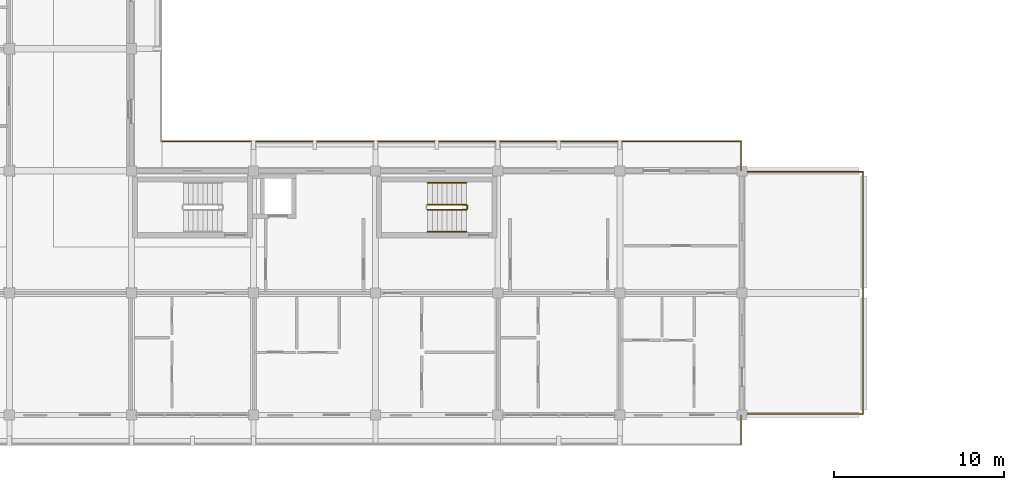
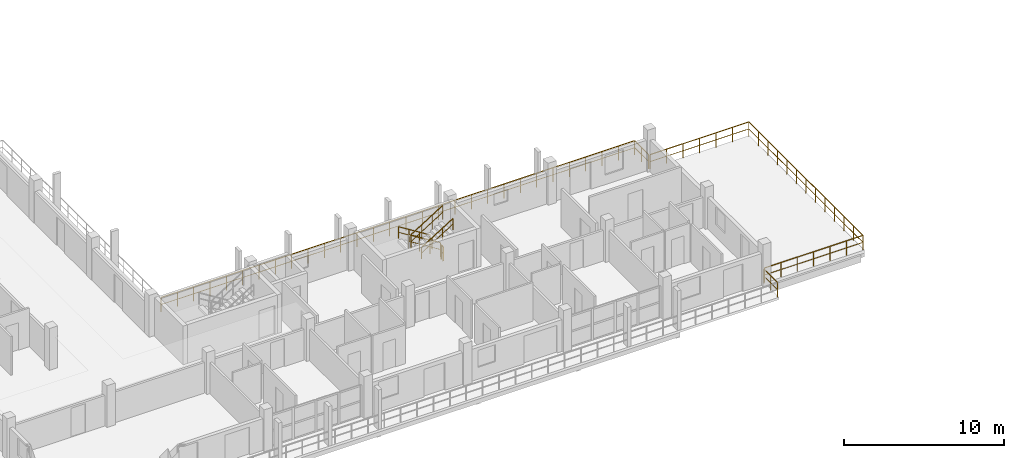
# One storey, part 65 of 78: 11 railings.
"""IFC4 building model written with IfcOpenShell, lengths in metres."""

from ifc_helpers import new_model, si_unit, direction, frame, origin, origin_2d, place, context, subcontext, project, spatial, rectangle, extrude, material, type_object, element, save


model = new_model("IFC4")

# Units and contexts
model_context = context("Model", 3, precision=1e-05, world=origin(), true_north=direction((0.0, 1.0)))
body_context = subcontext(model_context, "Body", "Model", "MODEL_VIEW")
ifc_project = project(units=[si_unit("LENGTHUNIT", "METRE"), si_unit("AREAUNIT", "SQUARE_METRE"), si_unit("VOLUMEUNIT", "CUBIC_METRE"), si_unit("PLANEANGLEUNIT", "RADIAN"), si_unit("MASSUNIT", "GRAM", prefix="KILO")], contexts=[model_context])

# Site, building, storey
site_placement = place(None, origin())
site = spatial("IfcSite", under=ifc_project, at=site_placement, CompositionType="ELEMENT")
building_placement = place(site_placement, origin())
building = spatial("IfcBuilding", under=site, at=building_placement, Name="Suanplinth Sawtooth Commons", CompositionType="ELEMENT")
storey_placement = place(building_placement, frame((0.0, 0.0, 15.39990234375)))
storey = spatial("IfcBuildingStorey", under=building, at=storey_placement, Name="L04", CompositionType="ELEMENT", Elevation=15.39990234375)

# Railings
ifc_material_1 = material(Name="Powder-coated galvanized steel", Category="steel")
railing_type_1 = type_object("IfcRailingType", Name="GR-01", PredefinedType="BALUSTRADE", material=ifc_material_1)
railing_1_placement = place(storey_placement, frame((16.139892578125, 16.139892578125, 0.0)))
element("IfcRailing", 1, at=railing_1_placement, inside=storey, type_object=railing_type_1, Name="L04 Block D Perimeter Balustrade 8", PredefinedType="BALUSTRADE", context=body_context, shape_type="SweptSolid", body=[
    extrude(rectangle(XDim=0.048095703125, YDim=0.048095703125, at=origin_2d()), frame((0.0, 0.0, 1.09619140625), z_axis=(1.0, 0.0, 0.0), x_axis=(0.0, 1.0, 0.0)), (0.0, 0.0, 1.0), 34.2001953125),
    extrude(rectangle(XDim=0.03369140625, YDim=0.03369140625, at=origin_2d()), frame((0.0, 0.0, 0.56005859375), z_axis=(1.0, 0.0, 0.0), x_axis=(0.0, 1.0, 0.0)), (0.0, 0.0, 1.0), 34.2001953125),
    extrude(rectangle(XDim=0.0419921875, YDim=0.0419921875, at=origin_2d()), origin(), (0.0, 0.0, 1.0), 1.072021484375),
    extrude(rectangle(XDim=0.0419921875, YDim=0.0419921875, at=origin_2d()), frame((1.17919921875, 0.0, 0.0)), (0.0, 0.0, 1.0), 1.072021484375),
    extrude(rectangle(XDim=0.0419921875, YDim=0.0419921875, at=origin_2d()), frame((2.358642578125, 0.0, 0.0)), (0.0, 0.0, 1.0), 1.072021484375),
    extrude(rectangle(XDim=0.0419921875, YDim=0.0419921875, at=origin_2d()), frame((3.537841796875, 0.0, 0.0)), (0.0, 0.0, 1.0), 1.072021484375),
    extrude(rectangle(XDim=0.0419921875, YDim=0.0419921875, at=origin_2d()), frame((4.71728515625, 0.0, 0.0)), (0.0, 0.0, 1.0), 1.072021484375),
    extrude(rectangle(XDim=0.0419921875, YDim=0.0419921875, at=origin_2d()), frame((5.896484375, 0.0, 0.0)), (0.0, 0.0, 1.0), 1.072021484375),
    extrude(rectangle(XDim=0.0419921875, YDim=0.0419921875, at=origin_2d()), frame((7.075927734375, 0.0, 0.0)), (0.0, 0.0, 1.0), 1.072021484375),
    extrude(rectangle(XDim=0.0419921875, YDim=0.0419921875, at=origin_2d()), frame((8.255126953125, 0.0, 0.0)), (0.0, 0.0, 1.0), 1.072021484375),
    extrude(rectangle(XDim=0.0419921875, YDim=0.0419921875, at=origin_2d()), frame((9.4345703125, 0.0, 0.0)), (0.0, 0.0, 1.0), 1.072021484375),
    extrude(rectangle(XDim=0.0419921875, YDim=0.0419921875, at=origin_2d()), frame((10.61376953125, 0.0, 0.0)), (0.0, 0.0, 1.0), 1.072021484375),
    extrude(rectangle(XDim=0.0419921875, YDim=0.0419921875, at=origin_2d()), frame((11.793212890625, 0.0, 0.0)), (0.0, 0.0, 1.0), 1.072021484375),
    extrude(rectangle(XDim=0.0419921875, YDim=0.0419921875, at=origin_2d()), frame((12.972412109375, 0.0, 0.0)), (0.0, 0.0, 1.0), 1.072021484375),
    extrude(rectangle(XDim=0.0419921875, YDim=0.0419921875, at=origin_2d()), frame((14.15185546875, 0.0, 0.0)), (0.0, 0.0, 1.0), 1.072021484375),
    extrude(rectangle(XDim=0.0419921875, YDim=0.0419921875, at=origin_2d()), frame((15.3310546875, 0.0, 0.0)), (0.0, 0.0, 1.0), 1.072021484375),
    extrude(rectangle(XDim=0.0419921875, YDim=0.0419921875, at=origin_2d()), frame((16.510498046875, 0.0, 0.0)), (0.0, 0.0, 1.0), 1.072021484375),
    extrude(rectangle(XDim=0.0419921875, YDim=0.0419921875, at=origin_2d()), frame((17.689697265625, 0.0, 0.0)), (0.0, 0.0, 1.0), 1.072021484375),
    extrude(rectangle(XDim=0.0419921875, YDim=0.0419921875, at=origin_2d()), frame((18.869140625, 0.0, 0.0)), (0.0, 0.0, 1.0), 1.072021484375),
    extrude(rectangle(XDim=0.0419921875, YDim=0.0419921875, at=origin_2d()), frame((20.04833984375, 0.0, 0.0)), (0.0, 0.0, 1.0), 1.072021484375),
    extrude(rectangle(XDim=0.0419921875, YDim=0.0419921875, at=origin_2d()), frame((21.227783203125, 0.0, 0.0)), (0.0, 0.0, 1.0), 1.072021484375),
    extrude(rectangle(XDim=0.0419921875, YDim=0.0419921875, at=origin_2d()), frame((22.406982421875, 0.0, 0.0)), (0.0, 0.0, 1.0), 1.072021484375),
    extrude(rectangle(XDim=0.0419921875, YDim=0.0419921875, at=origin_2d()), frame((23.58642578125, 0.0, 0.0)), (0.0, 0.0, 1.0), 1.072021484375),
    extrude(rectangle(XDim=0.0419921875, YDim=0.0419921875, at=origin_2d()), frame((24.765625, 0.0, 0.0)), (0.0, 0.0, 1.0), 1.072021484375),
    extrude(rectangle(XDim=0.0419921875, YDim=0.0419921875, at=origin_2d()), frame((25.945068359375, 0.0, 0.0)), (0.0, 0.0, 1.0), 1.072021484375),
    extrude(rectangle(XDim=0.0419921875, YDim=0.0419921875, at=origin_2d()), frame((27.124267578125, 0.0, 0.0)), (0.0, 0.0, 1.0), 1.072021484375),
    extrude(rectangle(XDim=0.0419921875, YDim=0.0419921875, at=origin_2d()), frame((28.3037109375, 0.0, 0.0)), (0.0, 0.0, 1.0), 1.072021484375),
    extrude(rectangle(XDim=0.0419921875, YDim=0.0419921875, at=origin_2d()), frame((29.48291015625, 0.0, 0.0)), (0.0, 0.0, 1.0), 1.072021484375),
    extrude(rectangle(XDim=0.0419921875, YDim=0.0419921875, at=origin_2d()), frame((30.662353515625, 0.0, 0.0)), (0.0, 0.0, 1.0), 1.072021484375),
    extrude(rectangle(XDim=0.0419921875, YDim=0.0419921875, at=origin_2d()), frame((31.841552734375, 0.0, 0.0)), (0.0, 0.0, 1.0), 1.072021484375),
    extrude(rectangle(XDim=0.0419921875, YDim=0.0419921875, at=origin_2d()), frame((33.02099609375, 0.0, 0.0)), (0.0, 0.0, 1.0), 1.072021484375),
    extrude(rectangle(XDim=0.0419921875, YDim=0.0419921875, at=origin_2d()), frame((34.2001953125, 0.0, 0.0)), (0.0, 0.0, 1.0), 1.072021484375),
])
railing_2_placement = place(storey_placement, frame((50.340087890625, 16.139892578125, 0.0)))
element("IfcRailing", 2, at=railing_2_placement, inside=storey, type_object=railing_type_1, Name="L04 Block D Perimeter Balustrade 9", PredefinedType="BALUSTRADE", context=body_context, shape_type="SweptSolid", body=[
    extrude(rectangle(XDim=0.048095703125, YDim=0.048095703125, at=origin_2d()), frame((0.0, 0.0, 1.09619140625), z_axis=(0.0, -1.0, 0.0), x_axis=(1.0, 0.0, 0.0)), (0.0, 0.0, 1.0), 1.719970703125),
    extrude(rectangle(XDim=0.03369140625, YDim=0.03369140625, at=origin_2d()), frame((0.0, 0.0, 0.56005859375), z_axis=(0.0, -1.0, 0.0), x_axis=(1.0, 0.0, 0.0)), (0.0, 0.0, 1.0), 1.719970703125),
    extrude(rectangle(XDim=0.0419921875, YDim=0.0419921875, at=origin_2d()), origin(), (0.0, 0.0, 1.0), 1.072021484375),
    extrude(rectangle(XDim=0.0419921875, YDim=0.0419921875, at=origin_2d()), frame((0.0, -0.85986328125, 0.0)), (0.0, 0.0, 1.0), 1.072021484375),
    extrude(rectangle(XDim=0.0419921875, YDim=0.0419921875, at=origin_2d()), frame((0.0, -1.719970703125, 0.0)), (0.0, 0.0, 1.0), 1.072021484375),
])
railing_3_placement = place(storey_placement, frame((50.419921875, 14.340087890625, 0.0)))
element("IfcRailing", 3, at=railing_3_placement, inside=storey, type_object=railing_type_1, Name="L04 Block D Perimeter Balustrade 10", PredefinedType="BALUSTRADE", context=body_context, shape_type="SweptSolid", body=[
    extrude(rectangle(XDim=0.048095703125, YDim=0.048095703125, at=origin_2d()), frame((0.0, 0.0, 1.09619140625), z_axis=(1.0, 0.0, 0.0), x_axis=(0.0, 1.0, 0.0)), (0.0, 0.0, 1.0), 7.1201171875),
    extrude(rectangle(XDim=0.03369140625, YDim=0.03369140625, at=origin_2d()), frame((0.0, 0.0, 0.56005859375), z_axis=(1.0, 0.0, 0.0), x_axis=(0.0, 1.0, 0.0)), (0.0, 0.0, 1.0), 7.1201171875),
    extrude(rectangle(XDim=0.0419921875, YDim=0.0419921875, at=origin_2d()), origin(), (0.0, 0.0, 1.0), 1.072021484375),
    extrude(rectangle(XDim=0.0419921875, YDim=0.0419921875, at=origin_2d()), frame((1.186767578125, 0.0, 0.0)), (0.0, 0.0, 1.0), 1.072021484375),
    extrude(rectangle(XDim=0.0419921875, YDim=0.0419921875, at=origin_2d()), frame((2.373291015625, 0.0, 0.0)), (0.0, 0.0, 1.0), 1.072021484375),
    extrude(rectangle(XDim=0.0419921875, YDim=0.0419921875, at=origin_2d()), frame((3.56005859375, 0.0, 0.0)), (0.0, 0.0, 1.0), 1.072021484375),
    extrude(rectangle(XDim=0.0419921875, YDim=0.0419921875, at=origin_2d()), frame((4.746826171875, 0.0, 0.0)), (0.0, 0.0, 1.0), 1.072021484375),
    extrude(rectangle(XDim=0.0419921875, YDim=0.0419921875, at=origin_2d()), frame((5.933349609375, 0.0, 0.0)), (0.0, 0.0, 1.0), 1.072021484375),
    extrude(rectangle(XDim=0.0419921875, YDim=0.0419921875, at=origin_2d()), frame((7.1201171875, 0.0, 0.0)), (0.0, 0.0, 1.0), 1.072021484375),
])
railing_4_placement = place(storey_placement, frame((57.5400390625, 14.340087890625, 0.0)))
element("IfcRailing", 4, at=railing_4_placement, inside=storey, type_object=railing_type_1, Name="L04 Block D Perimeter Balustrade 11", PredefinedType="BALUSTRADE", context=body_context, shape_type="SweptSolid", body=[
    extrude(rectangle(XDim=0.048095703125, YDim=0.048095703125, at=origin_2d()), frame((0.0, 0.0, 1.09619140625), z_axis=(0.0, -1.0, 0.0), x_axis=(1.0, 0.0, 0.0)), (0.0, 0.0, 1.0), 14.280029296875),
    extrude(rectangle(XDim=0.03369140625, YDim=0.03369140625, at=origin_2d()), frame((0.0, 0.0, 0.56005859375), z_axis=(0.0, -1.0, 0.0), x_axis=(1.0, 0.0, 0.0)), (0.0, 0.0, 1.0), 14.280029296875),
    extrude(rectangle(XDim=0.0419921875, YDim=0.0419921875, at=origin_2d()), origin(), (0.0, 0.0, 1.0), 1.072021484375),
    extrude(rectangle(XDim=0.0419921875, YDim=0.0419921875, at=origin_2d()), frame((0.0, -1.18994140625, 0.0)), (0.0, 0.0, 1.0), 1.072021484375),
    extrude(rectangle(XDim=0.0419921875, YDim=0.0419921875, at=origin_2d()), frame((0.0, -2.3798828125, 0.0)), (0.0, 0.0, 1.0), 1.072021484375),
    extrude(rectangle(XDim=0.0419921875, YDim=0.0419921875, at=origin_2d()), frame((0.0, -3.570068359375, 0.0)), (0.0, 0.0, 1.0), 1.072021484375),
    extrude(rectangle(XDim=0.0419921875, YDim=0.0419921875, at=origin_2d()), frame((0.0, -4.760009765625, 0.0)), (0.0, 0.0, 1.0), 1.072021484375),
    extrude(rectangle(XDim=0.0419921875, YDim=0.0419921875, at=origin_2d()), frame((0.0, -5.949951171875, 0.0)), (0.0, 0.0, 1.0), 1.072021484375),
    extrude(rectangle(XDim=0.0419921875, YDim=0.0419921875, at=origin_2d()), frame((0.0, -7.14013671875, 0.0)), (0.0, 0.0, 1.0), 1.072021484375),
    extrude(rectangle(XDim=0.0419921875, YDim=0.0419921875, at=origin_2d()), frame((0.0, -8.330078125, 0.0)), (0.0, 0.0, 1.0), 1.072021484375),
    extrude(rectangle(XDim=0.0419921875, YDim=0.0419921875, at=origin_2d()), frame((0.0, -9.52001953125, 0.0)), (0.0, 0.0, 1.0), 1.072021484375),
    extrude(rectangle(XDim=0.0419921875, YDim=0.0419921875, at=origin_2d()), frame((0.0, -10.7099609375, 0.0)), (0.0, 0.0, 1.0), 1.072021484375),
    extrude(rectangle(XDim=0.0419921875, YDim=0.0419921875, at=origin_2d()), frame((0.0, -11.89990234375, 0.0)), (0.0, 0.0, 1.0), 1.072021484375),
    extrude(rectangle(XDim=0.0419921875, YDim=0.0419921875, at=origin_2d()), frame((0.0, -13.090087890625, 0.0)), (0.0, 0.0, 1.0), 1.072021484375),
    extrude(rectangle(XDim=0.0419921875, YDim=0.0419921875, at=origin_2d()), frame((0.0, -14.280029296875, 0.0)), (0.0, 0.0, 1.0), 1.072021484375),
])
railing_5_placement = place(storey_placement, frame((57.5400390625, 0.06005859375, 0.0)))
element("IfcRailing", 5, at=railing_5_placement, inside=storey, type_object=railing_type_1, Name="L04 Block D Perimeter Balustrade 12", PredefinedType="BALUSTRADE", context=body_context, shape_type="SweptSolid", body=[
    extrude(rectangle(XDim=0.048095703125, YDim=0.048095703125, at=origin_2d()), frame((0.0, 0.0, 1.09619140625), z_axis=(-1.0, 0.0, 0.0), x_axis=(0.0, -1.0, 0.0)), (0.0, 0.0, 1.0), 7.1201171875),
    extrude(rectangle(XDim=0.03369140625, YDim=0.03369140625, at=origin_2d()), frame((0.0, 0.0, 0.56005859375), z_axis=(-1.0, 0.0, 0.0), x_axis=(0.0, -1.0, 0.0)), (0.0, 0.0, 1.0), 7.1201171875),
    extrude(rectangle(XDim=0.0419921875, YDim=0.0419921875, at=origin_2d()), origin(), (0.0, 0.0, 1.0), 1.072021484375),
    extrude(rectangle(XDim=0.0419921875, YDim=0.0419921875, at=origin_2d()), frame((-1.186767578125, 0.0, 0.0)), (0.0, 0.0, 1.0), 1.072021484375),
    extrude(rectangle(XDim=0.0419921875, YDim=0.0419921875, at=origin_2d()), frame((-2.373291015625, 0.0, 0.0)), (0.0, 0.0, 1.0), 1.072021484375),
    extrude(rectangle(XDim=0.0419921875, YDim=0.0419921875, at=origin_2d()), frame((-3.56005859375, 0.0, 0.0)), (0.0, 0.0, 1.0), 1.072021484375),
    extrude(rectangle(XDim=0.0419921875, YDim=0.0419921875, at=origin_2d()), frame((-4.746826171875, 0.0, 0.0)), (0.0, 0.0, 1.0), 1.072021484375),
    extrude(rectangle(XDim=0.0419921875, YDim=0.0419921875, at=origin_2d()), frame((-5.933349609375, 0.0, 0.0)), (0.0, 0.0, 1.0), 1.072021484375),
    extrude(rectangle(XDim=0.0419921875, YDim=0.0419921875, at=origin_2d()), frame((-7.1201171875, 0.0, 0.0)), (0.0, 0.0, 1.0), 1.072021484375),
])
railing_6_placement = place(storey_placement, frame((50.340087890625, -0.02001953125, 0.0)))
element("IfcRailing", 6, at=railing_6_placement, inside=storey, type_object=railing_type_1, Name="L04 Block D Perimeter Balustrade 13", PredefinedType="BALUSTRADE", context=body_context, shape_type="SweptSolid", body=[
    extrude(rectangle(XDim=0.048095703125, YDim=0.048095703125, at=origin_2d()), frame((0.0, 0.0, 1.09619140625), z_axis=(0.0, -1.0, 0.0), x_axis=(1.0, 0.0, 0.0)), (0.0, 0.0, 1.0), 1.719970703125),
    extrude(rectangle(XDim=0.03369140625, YDim=0.03369140625, at=origin_2d()), frame((0.0, 0.0, 0.56005859375), z_axis=(0.0, -1.0, 0.0), x_axis=(1.0, 0.0, 0.0)), (0.0, 0.0, 1.0), 1.719970703125),
    extrude(rectangle(XDim=0.0419921875, YDim=0.0419921875, at=origin_2d()), origin(), (0.0, 0.0, 1.0), 1.072021484375),
    extrude(rectangle(XDim=0.0419921875, YDim=0.0419921875, at=origin_2d()), frame((0.0, -0.85986328125, 0.0)), (0.0, 0.0, 1.0), 1.072021484375),
    extrude(rectangle(XDim=0.0419921875, YDim=0.0419921875, at=origin_2d()), frame((0.0, -1.719970703125, 0.0)), (0.0, 0.0, 1.0), 1.072021484375),
])
ifc_material_2 = material(Name="Stainless steel Grade 304", Category="steel")
railing_type_2 = type_object("IfcRailingType", Name="GR-04", PredefinedType="GUARDRAIL", material=ifc_material_2)
railing_7_placement = place(storey_placement, frame((34.14990234375, 12.39990234375, 0.177978515625)))
element("IfcRailing", 7, at=railing_7_placement, inside=storey, type_object=railing_type_2, Name="L04 ST-W2 Guard 1", PredefinedType="GUARDRAIL", context=body_context, shape_type="SweptSolid", body=[
    extrude(rectangle(XDim=0.048095703125, YDim=0.048095703125, at=origin_2d()), frame((0.0, 0.0, 1.076171875), z_axis=(-0.848457393559, 0.0, 0.529263687886), x_axis=(0.0, -1.0, 0.0)), (0.0, 0.0, 1.0), 2.68701171875),
    extrude(rectangle(XDim=0.03369140625, YDim=0.03369140625, at=origin_2d()), frame((0.0, 0.0, 0.550048828125), z_axis=(-0.848457393559, 0.0, 0.529263687886), x_axis=(0.0, -1.0, 0.0)), (0.0, 0.0, 1.0), 2.68701171875),
    extrude(rectangle(XDim=0.0419921875, YDim=0.0419921875, at=origin_2d()), origin(), (0.0, 0.0, 1.0), 1.052001953125),
    extrude(rectangle(XDim=0.0419921875, YDim=0.0419921875, at=origin_2d()), frame((-0.760009765625, 0.0, 0.47412109375)), (0.0, 0.0, 1.0), 1.052001953125),
    extrude(rectangle(XDim=0.0419921875, YDim=0.0419921875, at=origin_2d()), frame((-1.519775390625, 0.0, 0.947998046875)), (0.0, 0.0, 1.0), 1.052001953125),
    extrude(rectangle(XDim=0.0419921875, YDim=0.0419921875, at=origin_2d()), frame((-2.27978515625, 0.0, 1.422119140625)), (0.0, 0.0, 1.0), 1.052001953125),
])
railing_8_placement = place(storey_placement, frame((31.8701171875, 12.10009765625, 1.77783203125)))
element("IfcRailing", 8, at=railing_8_placement, inside=storey, type_object=railing_type_2, Name="L04 ST-W2 Guard 3", PredefinedType="GUARDRAIL", context=body_context, shape_type="SweptSolid", body=[
    extrude(rectangle(XDim=0.048095703125, YDim=0.048095703125, at=origin_2d()), frame((0.0, 0.0, 1.076171875), z_axis=(0.848416591296, 0.0, 0.529329091978), x_axis=(0.0, 1.0, 0.0)), (0.0, 0.0, 1.0), 2.68701171875),
    extrude(rectangle(XDim=0.03369140625, YDim=0.03369140625, at=origin_2d()), frame((0.0, 0.0, 0.550048828125), z_axis=(0.848416591296, 0.0, 0.529329091978), x_axis=(0.0, 1.0, 0.0)), (0.0, 0.0, 1.0), 2.68701171875),
    extrude(rectangle(XDim=0.0419921875, YDim=0.0419921875, at=origin_2d()), origin(), (0.0, 0.0, 1.0), 1.052001953125),
    extrude(rectangle(XDim=0.0419921875, YDim=0.0419921875, at=origin_2d()), frame((0.760009765625, 0.0, 0.47412109375)), (0.0, 0.0, 1.0), 1.052001953125),
    extrude(rectangle(XDim=0.0419921875, YDim=0.0419921875, at=origin_2d()), frame((1.519775390625, 0.0, 0.9482421875)), (0.0, 0.0, 1.0), 1.052001953125),
    extrude(rectangle(XDim=0.0419921875, YDim=0.0419921875, at=origin_2d()), frame((2.27978515625, 0.0, 1.42236328125)), (0.0, 0.0, 1.0), 1.052001953125),
])
railing_9_placement = place(storey_placement, frame((34.199951171875, 12.35009765625, 0.0)))
element("IfcRailing", 9, at=railing_9_placement, inside=storey, type_object=railing_type_2, Name="L04 ST-W2 Guard 4", PredefinedType="GUARDRAIL", context=body_context, shape_type="SweptSolid", body=[
    extrude(rectangle(XDim=0.048095703125, YDim=0.048095703125, at=origin_2d()), frame((0.0, 0.0, 1.076171875), z_axis=(0.0, -1.0, 0.0), x_axis=(1.0, 0.0, 0.0)), (0.0, 0.0, 1.0), 0.2001953125),
    extrude(rectangle(XDim=0.03369140625, YDim=0.03369140625, at=origin_2d()), frame((0.0, 0.0, 0.550048828125), z_axis=(0.0, -1.0, 0.0), x_axis=(1.0, 0.0, 0.0)), (0.0, 0.0, 1.0), 0.2001953125),
    extrude(rectangle(XDim=0.0419921875, YDim=0.0419921875, at=origin_2d()), origin(), (0.0, 0.0, 1.0), 1.052001953125),
    extrude(rectangle(XDim=0.0419921875, YDim=0.0419921875, at=origin_2d()), frame((0.0, -0.2001953125, 0.0)), (0.0, 0.0, 1.0), 1.052001953125),
])
railing_type_3 = type_object("IfcRailingType", Name="HR-01", PredefinedType="HANDRAIL", material=ifc_material_2)
railing_10_placement = place(storey_placement, frame((34.14990234375, 13.699951171875, 0.177978515625)))
element("IfcRailing", 10, at=railing_10_placement, inside=storey, type_object=railing_type_3, Name="L04 ST-W2 Handrail 1", PredefinedType="HANDRAIL", context=body_context, shape_type="SweptSolid", body=[
    extrude(rectangle(XDim=0.048095703125, YDim=0.048095703125, at=origin_2d()), frame((0.0, 0.0, 0.8759765625), z_axis=(-0.848457393559, 0.0, 0.529263687886), x_axis=(0.0, -1.0, 0.0)), (0.0, 0.0, 1.0), 2.68701171875),
    extrude(rectangle(XDim=0.03369140625, YDim=0.03369140625, at=origin_2d()), frame((0.0, 0.0, 0.449951171875), z_axis=(-0.848457393559, 0.0, 0.529263687886), x_axis=(0.0, -1.0, 0.0)), (0.0, 0.0, 1.0), 2.68701171875),
    extrude(rectangle(XDim=0.0419921875, YDim=0.0419921875, at=origin_2d()), origin(), (0.0, 0.0, 1.0), 0.851806640625),
    extrude(rectangle(XDim=0.0419921875, YDim=0.0419921875, at=origin_2d()), frame((-0.760009765625, 0.0, 0.47412109375)), (0.0, 0.0, 1.0), 0.851806640625),
    extrude(rectangle(XDim=0.0419921875, YDim=0.0419921875, at=origin_2d()), frame((-1.519775390625, 0.0, 0.947998046875)), (0.0, 0.0, 1.0), 0.851806640625),
    extrude(rectangle(XDim=0.0419921875, YDim=0.0419921875, at=origin_2d()), frame((-2.27978515625, 0.0, 1.422119140625)), (0.0, 0.0, 1.0), 0.851806640625),
])
railing_11_placement = place(storey_placement, frame((31.8701171875, 10.800048828125, 1.77783203125)))
element("IfcRailing", 11, at=railing_11_placement, inside=storey, type_object=railing_type_3, Name="L04 ST-W2 Handrail 2", PredefinedType="HANDRAIL", context=body_context, shape_type="SweptSolid", body=[
    extrude(rectangle(XDim=0.048095703125, YDim=0.048095703125, at=origin_2d()), frame((0.0, 0.0, 0.8759765625), z_axis=(0.848416591296, 0.0, 0.529329091978), x_axis=(0.0, 1.0, 0.0)), (0.0, 0.0, 1.0), 2.68701171875),
    extrude(rectangle(XDim=0.03369140625, YDim=0.03369140625, at=origin_2d()), frame((0.0, 0.0, 0.449951171875), z_axis=(0.848416591296, 0.0, 0.529329091978), x_axis=(0.0, 1.0, 0.0)), (0.0, 0.0, 1.0), 2.68701171875),
    extrude(rectangle(XDim=0.0419921875, YDim=0.0419921875, at=origin_2d()), origin(), (0.0, 0.0, 1.0), 0.851806640625),
    extrude(rectangle(XDim=0.0419921875, YDim=0.0419921875, at=origin_2d()), frame((0.760009765625, 0.0, 0.47412109375)), (0.0, 0.0, 1.0), 0.851806640625),
    extrude(rectangle(XDim=0.0419921875, YDim=0.0419921875, at=origin_2d()), frame((1.519775390625, 0.0, 0.9482421875)), (0.0, 0.0, 1.0), 0.851806640625),
    extrude(rectangle(XDim=0.0419921875, YDim=0.0419921875, at=origin_2d()), frame((2.27978515625, 0.0, 1.42236328125)), (0.0, 0.0, 1.0), 0.851806640625),
])

save(model, "model.ifc")
